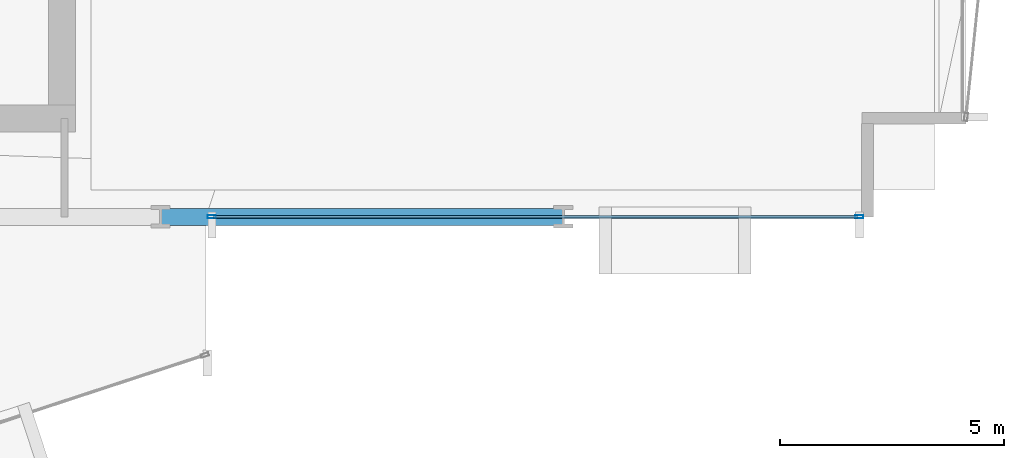
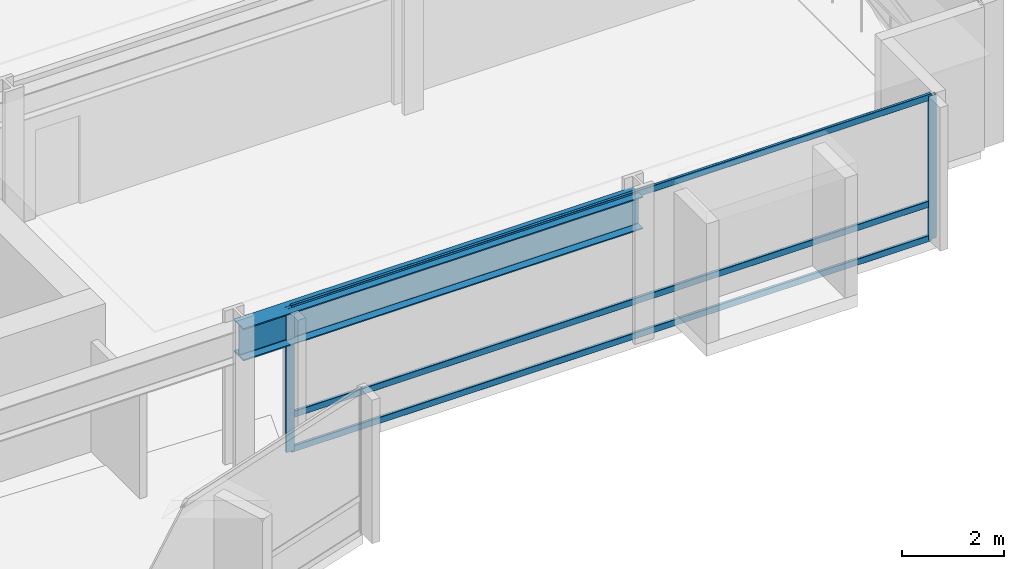
# One storey, part 12 of 34: 5 members, 1 beam, 1 element without a shape of its own.
"""IFC4 building model written with IfcOpenShell, lengths in metres."""

from ifc_helpers import new_model, si_unit, direction, frame, origin, origin_2d, place, context, subcontext, project, spatial, hollow_rectangle, i_section, extrude, material, layer, layer_set, material_profile, profile_set, type_object, element, aggregate, save


model = new_model("IFC4")

# Units and contexts
model_context = context("Model", 3, precision=1e-05, world=origin(), true_north=direction((0.0, 1.0)))
body_context = subcontext(model_context, "Body", "Model", "MODEL_VIEW")
ifc_project = project(units=[si_unit("LENGTHUNIT", "METRE"), si_unit("AREAUNIT", "SQUARE_METRE"), si_unit("VOLUMEUNIT", "CUBIC_METRE"), si_unit("PLANEANGLEUNIT", "RADIAN"), si_unit("MASSUNIT", "GRAM", prefix="KILO")], contexts=[model_context])

# Site, building, storey
site_placement = place(None, origin())
site = spatial("IfcSite", under=ifc_project, at=site_placement, CompositionType="ELEMENT")
building_placement = place(site_placement, origin())
building = spatial("IfcBuilding", under=site, at=building_placement, Name="Solvaryn Broadcast Tower", CompositionType="ELEMENT")
storey_placement = place(building_placement, frame((0.0, 0.0, 58.199951171875)))
storey = spatial("IfcBuildingStorey", under=building, at=storey_placement, Name="L13", CompositionType="ELEMENT", Elevation=58.199951171875)

# Beam
ifc_material_1 = material(Name="Steel ASTM A992 Grade 50", Category="steel")
ifc_material_profile_1 = material_profile(ifc_material_1, i_section(OverallWidth=0.381103515625, OverallDepth=0.77294921875, WebThickness=0.0166015625, FlangeThickness=0.027099609375, FilletRadius=0.01806640625, at=origin_2d()))
ifc_profile_set_1 = profile_set([ifc_material_profile_1], Name="Steel ASTM A992 Grade 50")
beam_type = type_object("IfcBeamType", Name="BM-SP1-W30X173", PredefinedType="USERDEFINED", material=ifc_profile_set_1)
beam_placement = place(storey_placement, frame((45.0, 9.0, 3.033447265625), z_axis=(1.0, 0.0, 0.0), x_axis=(0.0, 1.0, 0.0)))
element("IfcBeam", 1, at=beam_placement, inside=storey, type_object=beam_type, Name="L13 Spandrel Beam X (45-54 @ Y=9)", ObjectType="SPANDREL", PredefinedType="USERDEFINED", context=body_context, shape_type="SweptSolid", body=[
    extrude(i_section(OverallWidth=0.381103515625, OverallDepth=0.77294921875, WebThickness=0.0166015625, FlangeThickness=0.027099609375, FilletRadius=0.01806640625, at=origin_2d()), origin(), (0.0, 0.0, 1.0), 9.0),
])

# Curtain wall, members
ifc_material_2 = material(Name="Aluminium and Terracotta Unitised Curtain Wall", Category="masonry")
ifc_layer = layer(ifc_material_2, 0.199951171875)
ifc_layer_set = layer_set([ifc_layer], Name="CW-SYS2-LOWMID")
curtain_wall_type = type_object("IfcCurtainWallType", Name="CW-SYS2-LOWMID", PredefinedType="NOTDEFINED", material=ifc_layer_set)
curtain_wall_placement = place(storey_placement, origin())
curtain_wall = element("IfcCurtainWall", 2, at=curtain_wall_placement, inside=storey, type_object=curtain_wall_type, Name="L13 Curtain Wall S2", PredefinedType="NOTDEFINED")
ifc_material_3 = material(Name="Anodised Aluminium 6063-T6", Category="aluminium")
ifc_material_profile_2 = material_profile(ifc_material_3, hollow_rectangle(XDim=0.074951171875, YDim=0.179931640625, WallThickness=0.00390625, InnerFilletRadius=0.00390625, OuterFilletRadius=0.008056640625, at=origin_2d()))
ifc_profile_set_2 = profile_set([ifc_material_profile_2], Name="Anodised Aluminium 6063-T6")
member_type_1 = type_object("IfcMemberType", Name="CW-MUL-180", PredefinedType="MULLION", material=ifc_profile_set_2)
member_1_placement = place(storey_placement, frame((46.14599609375, 9.0, 0.0), z_axis=(0.0, 0.0, 1.0), x_axis=(0.0, 1.0, 0.0)))
member_1 = element("IfcMember", 3, at=member_1_placement, type_object=member_type_1, Name="CWS2 mullion 1", PredefinedType="MULLION", context=body_context, shape_type="SweptSolid", body=[
    extrude(hollow_rectangle(XDim=0.074951171875, YDim=0.179931640625, WallThickness=0.00390625, InnerFilletRadius=0.00390625, OuterFilletRadius=0.008056640625, at=origin_2d()), origin(), (0.0, 0.0, 1.0), 3.420166015625),
])
member_2_placement = place(storey_placement, frame((60.6201171875, 9.0, 0.0), z_axis=(0.0, 0.0, 1.0), x_axis=(0.0, 1.0, 0.0)))
member_2 = element("IfcMember", 4, at=member_2_placement, type_object=member_type_1, Name="CWS2 mullion 2", PredefinedType="MULLION", context=body_context, shape_type="SweptSolid", body=[
    extrude(hollow_rectangle(XDim=0.074951171875, YDim=0.179931640625, WallThickness=0.00390625, InnerFilletRadius=0.00390625, OuterFilletRadius=0.008056640625, at=origin_2d()), origin(), (0.0, 0.0, 1.0), 3.420166015625),
])
ifc_material_4 = material(Name="Anodised Aluminium 6063-T6", Category="aluminium")
ifc_material_profile_3 = material_profile(ifc_material_4, hollow_rectangle(XDim=0.06494140625, YDim=0.14990234375, WallThickness=0.00390625, InnerFilletRadius=0.00390625, OuterFilletRadius=0.008056640625, at=origin_2d()))
ifc_profile_set_3 = profile_set([ifc_material_profile_3], Name="Anodised Aluminium 6063-T6")
member_type_2 = type_object("IfcMemberType", Name="CW-TRN-150", PredefinedType="USERDEFINED", material=ifc_profile_set_3)
member_3_placement = place(storey_placement, frame((46.176025390625, 9.0, 0.030029296875), z_axis=(1.0, 0.0, 0.0), x_axis=(0.0, 1.0, 0.0)))
member_3 = element("IfcMember", 5, at=member_3_placement, type_object=member_type_2, Name="CWS2 transom 1.1", ObjectType="TRANSOM", PredefinedType="USERDEFINED", context=body_context, shape_type="SweptSolid", body=[
    extrude(hollow_rectangle(XDim=0.06494140625, YDim=0.14990234375, WallThickness=0.00390625, InnerFilletRadius=0.00390625, OuterFilletRadius=0.008056640625, at=origin_2d()), origin(), (0.0, 0.0, 1.0), 14.4140625),
])
member_4_placement = place(storey_placement, frame((46.176025390625, 9.0, 0.85009765625), z_axis=(1.0, 0.0, 0.0), x_axis=(0.0, 1.0, 0.0)))
member_4 = element("IfcMember", 6, at=member_4_placement, type_object=member_type_2, Name="CWS2 transom 1.2", ObjectType="TRANSOM", PredefinedType="USERDEFINED", context=body_context, shape_type="SweptSolid", body=[
    extrude(hollow_rectangle(XDim=0.06494140625, YDim=0.14990234375, WallThickness=0.00390625, InnerFilletRadius=0.00390625, OuterFilletRadius=0.008056640625, at=origin_2d()), origin(), (0.0, 0.0, 1.0), 14.4140625),
])
member_5_placement = place(storey_placement, frame((46.176025390625, 9.0, 3.39013671875), z_axis=(1.0, 0.0, 0.0), x_axis=(0.0, 1.0, 0.0)))
member_5 = element("IfcMember", 7, at=member_5_placement, type_object=member_type_2, Name="CWS2 transom 1.3", ObjectType="TRANSOM", PredefinedType="USERDEFINED", context=body_context, shape_type="SweptSolid", body=[
    extrude(hollow_rectangle(XDim=0.06494140625, YDim=0.14990234375, WallThickness=0.00390625, InnerFilletRadius=0.00390625, OuterFilletRadius=0.008056640625, at=origin_2d()), origin(), (0.0, 0.0, 1.0), 14.4140625),
])
aggregate(curtain_wall, [member_1, member_2, member_3, member_4, member_5])

save(model, "model.ifc")
